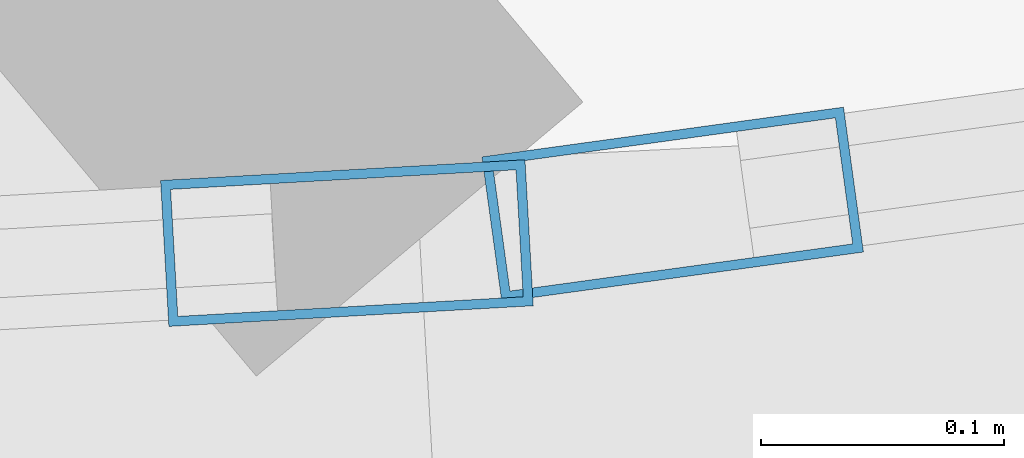
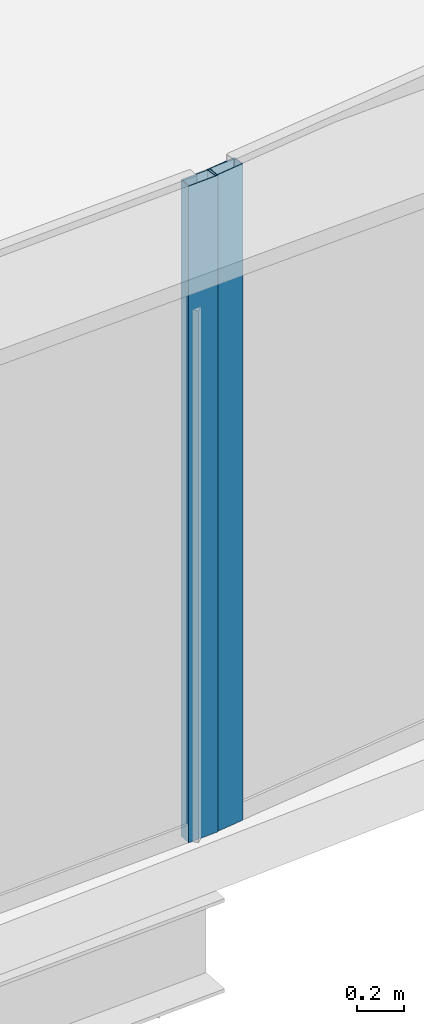
# One storey, part 14 of 39: 2 members, 2 elements without a shape of their own.
"""IFC4 building model written with IfcOpenShell, lengths in metres."""

from ifc_helpers import new_model, si_unit, direction, frame, origin, origin_2d, place, context, subcontext, project, spatial, hollow_rectangle, extrude, source, transform, mapped, material, layer, layer_set, material_profile, profile_set, type_object, element, aggregate, save


model = new_model("IFC4")

# Units and contexts
model_context = context("Model", 3, precision=1e-05, world=origin(), true_north=direction((0.0, 1.0)))
body_context = subcontext(model_context, "Body", "Model", "MODEL_VIEW")
ifc_project = project(units=[si_unit("LENGTHUNIT", "METRE"), si_unit("AREAUNIT", "SQUARE_METRE"), si_unit("VOLUMEUNIT", "CUBIC_METRE"), si_unit("PLANEANGLEUNIT", "RADIAN"), si_unit("MASSUNIT", "GRAM", prefix="KILO"), si_unit("THERMODYNAMICTEMPERATUREUNIT", "KELVIN"), si_unit("POWERUNIT", "WATT")], contexts=[model_context])

# Site, building, storey
site_placement = place(None, origin())
site = spatial("IfcSite", under=ifc_project, at=site_placement, CompositionType="ELEMENT")
building_placement = place(site_placement, origin())
building = spatial("IfcBuilding", under=site, at=building_placement, Name="Yunzhuo Pagoda Commons", CompositionType="ELEMENT")
storey_placement = place(building_placement, frame((0.0, 0.0, 148.22998046875)))
storey = spatial("IfcBuildingStorey", under=building, at=storey_placement, Name="L37", CompositionType="ELEMENT", Elevation=148.22998046875)

# Curtain wall, member
ifc_material = material(Name="Anodized aluminium 6063-T6", Category="aluminium")
ifc_layer = layer(ifc_material, 0.14990234375)
ifc_layer_set = layer_set([ifc_layer], Name="Anodized aluminium 6063-T6")
curtain_wall_type = type_object("IfcCurtainWallType", Name="CW-MID Mid-Zone Ribbon Curtain Wall", PredefinedType="NOTDEFINED", material=ifc_layer_set)
curtain_wall_1_placement = place(storey_placement, origin())
curtain_wall_1 = element("IfcCurtainWall", 1, at=curtain_wall_1_placement, inside=storey, type_object=curtain_wall_type, Name="L37 curtain wall CW-L37-F1B4", PredefinedType="NOTDEFINED")
ifc_material_profile = material_profile(ifc_material, hollow_rectangle(XDim=0.06005859375, YDim=0.14990234375, WallThickness=0.00390625, at=origin_2d()), Name="Anodized aluminium 6063-T6")
ifc_profile_set = profile_set([ifc_material_profile], Name="Anodized aluminium 6063-T6")
member_type = type_object("IfcMemberType", Name="CW-MID-M Mullion RHS 150x60x4", PredefinedType="MULLION", material=ifc_profile_set)
shared_shape = source(origin(), body_context, "Body", "SweptSolid", [
    extrude(hollow_rectangle(XDim=0.06005859375, YDim=0.14990234375, WallThickness=0.00390625, at=origin_2d()), origin(), (0.0, 0.0, 1.0), 3.419677734375),
])
member_1_placement = place(storey_placement, frame((64.65576171875, 13.813232421875, 0.000244140625), z_axis=(0.0, 0.0, 1.0), x_axis=(-0.056597401536, 0.998397082397, 0.0)))
member_1 = element("IfcMember", 2, at=member_1_placement, type_object=member_type, Name="CW mullion 2", PredefinedType="MULLION", context=body_context, shape_type="MappedRepresentation", body=[
    mapped(shared_shape, transform((0.0, 0.0, 0.0), scale=1.0)),
])
aggregate(curtain_wall_1, [member_1])

curtain_wall_2_placement = place(storey_placement, origin())
curtain_wall_2 = element("IfcCurtainWall", 3, at=curtain_wall_2_placement, inside=storey, type_object=curtain_wall_type, Name="L37 curtain wall CW-L37-F1B5", PredefinedType="NOTDEFINED")
member_2_placement = place(storey_placement, frame((64.78955078125, 13.8291015625, 0.000244140625), z_axis=(0.0, 0.0, 1.0), x_axis=(-0.136220738131, 0.990678510165, 0.0)))
member_2 = element("IfcMember", 4, at=member_2_placement, type_object=member_type, Name="CW mullion 1", PredefinedType="MULLION", context=body_context, shape_type="MappedRepresentation", body=[
    mapped(shared_shape, transform((0.0, 0.0, 0.0), scale=1.0)),
])
aggregate(curtain_wall_2, [member_2])

save(model, "model.ifc")
